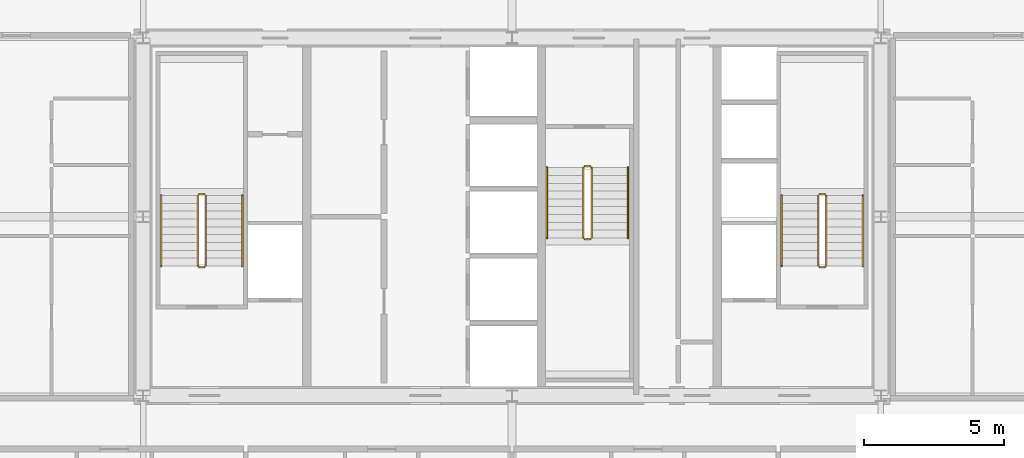
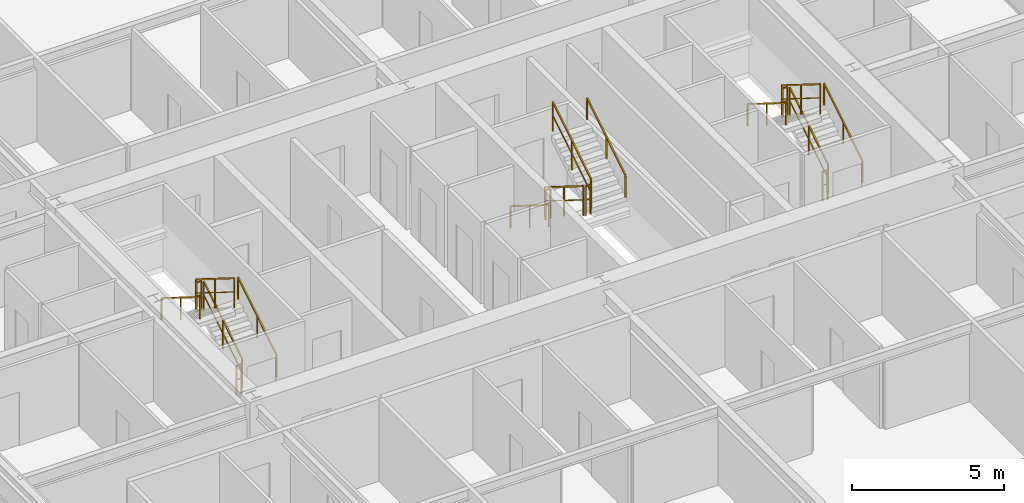
# One storey, part 38 of 38: 18 railings.
"""IFC4 building model written with IfcOpenShell, lengths in metres."""

from ifc_helpers import new_model, si_unit, direction, frame, origin, origin_2d, place, context, subcontext, project, spatial, rectangle, extrude, source, transform, mapped, material, layer, layer_set, type_object, element, save


model = new_model("IFC4")

# Units and contexts
model_context = context("Model", 3, precision=1e-05, world=origin(), true_north=direction((0.0, 1.0)))
body_context = subcontext(model_context, "Body", "Model", "MODEL_VIEW")
ifc_project = project(units=[si_unit("LENGTHUNIT", "METRE"), si_unit("AREAUNIT", "SQUARE_METRE"), si_unit("VOLUMEUNIT", "CUBIC_METRE"), si_unit("PLANEANGLEUNIT", "RADIAN"), si_unit("MASSUNIT", "GRAM", prefix="KILO"), si_unit("THERMODYNAMICTEMPERATUREUNIT", "KELVIN"), si_unit("POWERUNIT", "WATT")], contexts=[model_context])

# Site, building, storey
site_placement = place(None, origin())
site = spatial("IfcSite", under=ifc_project, at=site_placement, CompositionType="ELEMENT")
building_placement = place(site_placement, origin())
building = spatial("IfcBuilding", under=site, at=building_placement, Name="Yuzanri Waterfront Tower", CompositionType="ELEMENT")
storey_placement = place(building_placement, frame((0.0, 0.0, 188.0)))
storey = spatial("IfcBuildingStorey", under=building, at=storey_placement, Name="L49", CompositionType="ELEMENT", Elevation=188.0)

# Railings
ifc_material_1 = material(Name="Painted Galvanized Fire Steel", Category="steel")
ifc_layer_1 = layer(ifc_material_1, 0.06005859375)
ifc_layer_set_1 = layer_set([ifc_layer_1], Name="Painted Galvanized Fire Steel")
railing_type_1 = type_object("IfcRailingType", Name="Painted Steel Stairwell Guardrail 1120", PredefinedType="GUARDRAIL", material=ifc_layer_set_1)
shared_shape_1 = source(origin(), body_context, "Body", "SweptSolid", [
    extrude(rectangle(XDim=0.050048828125, YDim=0.050048828125, at=origin_2d()), frame((0.0, 0.0, 1.1748046875), z_axis=(-1.0, 0.0, 0.0), x_axis=(0.0, -1.0, 0.0)), (0.0, 0.0, 1.0), 0.199951171875),
    extrude(rectangle(XDim=0.035888671875, YDim=0.030029296875, at=origin_2d()), frame((0.0, 0.0, 0.6240234375), z_axis=(-1.0, 0.0, 0.0), x_axis=(0.0, -1.0, 0.0)), (0.0, 0.0, 1.0), 0.199951171875),
    extrude(rectangle(XDim=0.0458984375, YDim=0.0458984375, at=origin_2d()), origin(), (0.0, 0.0, 1.0), 1.14990234375),
    extrude(rectangle(XDim=0.0458984375, YDim=0.0458984375, at=origin_2d()), frame((-0.199951171875, 0.0, 0.0)), (0.0, 0.0, 1.0), 1.14990234375),
])
for number, where, name in (
    (1, (26.0, 26.610107421875, 1.75), "L49 ST-01 stair guard 2"),
    (2, (26.0, 23.989990234375, 0.0), "L49 ST-01 stair guard 4"),
    (3, (48.199951171875, 26.610107421875, 1.75), "L49 ST-02 stair guard 2"),
    (4, (48.199951171875, 23.989990234375, 0.0), "L49 ST-02 stair guard 4"),
):
    element("IfcRailing", number, at=place(storey_placement, frame(where)), inside=storey, type_object=railing_type_1, Name=name, PredefinedType="GUARDRAIL", context=body_context, shape_type="MappedRepresentation", body=[
        mapped(shared_shape_1, transform((0.0, 0.0, 0.0), scale=1.0)),
    ])
shared_shape_2 = source(origin(), body_context, "Body", "SweptSolid", [
    extrude(rectangle(XDim=0.050048828125, YDim=0.050048828125, at=origin_2d()), frame((0.0, 0.0, 1.1748046875), z_axis=(0.0, 0.848007534815, 0.529984170421), x_axis=(-1.0, 0.0, 0.0)), (0.0, 0.0, 1.0), 2.9716796875),
    extrude(rectangle(XDim=0.035888671875, YDim=0.030029296875, at=origin_2d()), frame((0.0, 0.0, 0.6240234375), z_axis=(0.0, 0.848007534815, 0.529984170421), x_axis=(-1.0, 0.0, 0.0)), (0.0, 0.0, 1.0), 2.9716796875),
    extrude(rectangle(XDim=0.0458984375, YDim=0.0458984375, at=origin_2d()), origin(), (0.0, 0.0, 1.0), 1.14990234375),
    extrude(rectangle(XDim=0.0458984375, YDim=0.0458984375, at=origin_2d()), frame((0.0, 1.260009765625, 0.78759765625)), (0.0, 0.0, 1.0), 1.14990234375),
    extrude(rectangle(XDim=0.0458984375, YDim=0.0458984375, at=origin_2d()), frame((0.0, 2.52001953125, 1.574951171875)), (0.0, 0.0, 1.0), 1.14990234375),
])
for number, where, name in (
    (5, (26.050048828125, 24.0400390625, 0.175048828125), "L49 ST-01 stair guard 1"),
    (6, (48.25, 24.0400390625, 0.175048828125), "L49 ST-02 stair guard 1"),
    (7, (39.85009765625, 25.0400390625, 1.925048828125), "L49 ST-03 stair guard 3"),
):
    element("IfcRailing", number, at=place(storey_placement, frame(where)), inside=storey, type_object=railing_type_1, Name=name, PredefinedType="GUARDRAIL", context=body_context, shape_type="MappedRepresentation", body=[
        mapped(shared_shape_2, transform((0.0, 0.0, 0.0), scale=1.0)),
    ])
shared_shape_3 = source(origin(), body_context, "Body", "SweptSolid", [
    extrude(rectangle(XDim=0.050048828125, YDim=0.050048828125, at=origin_2d()), frame((0.0, 0.0, 1.1748046875), z_axis=(0.0, -0.848007534815, 0.529984170421), x_axis=(1.0, 0.0, 0.0)), (0.0, 0.0, 1.0), 2.9716796875),
    extrude(rectangle(XDim=0.035888671875, YDim=0.030029296875, at=origin_2d()), frame((0.0, 0.0, 0.6240234375), z_axis=(0.0, -0.848007534815, 0.529984170421), x_axis=(1.0, 0.0, 0.0)), (0.0, 0.0, 1.0), 2.9716796875),
    extrude(rectangle(XDim=0.0458984375, YDim=0.0458984375, at=origin_2d()), origin(), (0.0, 0.0, 1.0), 1.14990234375),
    extrude(rectangle(XDim=0.0458984375, YDim=0.0458984375, at=origin_2d()), frame((0.0, -1.260009765625, 0.78759765625)), (0.0, 0.0, 1.0), 1.14990234375),
    extrude(rectangle(XDim=0.0458984375, YDim=0.0458984375, at=origin_2d()), frame((0.0, -2.52001953125, 1.574951171875)), (0.0, 0.0, 1.0), 1.14990234375),
])
for number, where, name in (
    (8, (25.75, 26.56005859375, 1.925048828125), "L49 ST-01 stair guard 3"),
    (9, (47.949951171875, 26.56005859375, 1.925048828125), "L49 ST-02 stair guard 3"),
    (10, (39.550048828125, 27.56005859375, 0.175048828125), "L49 ST-03 stair guard 1"),
):
    element("IfcRailing", number, at=place(storey_placement, frame(where)), inside=storey, type_object=railing_type_1, Name=name, PredefinedType="GUARDRAIL", context=body_context, shape_type="MappedRepresentation", body=[
        mapped(shared_shape_3, transform((0.0, 0.0, 0.0), scale=1.0)),
    ])
ifc_material_2 = material(Name="Anodized Architectural Bronze", Category="metal")
ifc_layer_2 = layer(ifc_material_2, 0.050048828125)
ifc_layer_set_2 = layer_set([ifc_layer_2], Name="Anodized Architectural Bronze")
railing_type_2 = type_object("IfcRailingType", Name="Brushed Bronze Stair Pitch Handrail 920", PredefinedType="HANDRAIL", material=ifc_layer_set_2)
shared_shape_4 = source(origin(), body_context, "Body", "SweptSolid", [
    extrude(rectangle(XDim=0.050048828125, YDim=0.050048828125, at=origin_2d()), frame((0.0, 0.0, 0.875), z_axis=(0.0, 0.848007534815, 0.529984170421), x_axis=(-1.0, 0.0, 0.0)), (0.0, 0.0, 1.0), 2.9716796875),
    extrude(rectangle(XDim=0.0458984375, YDim=0.0458984375, at=origin_2d()), origin(), (0.0, 0.0, 1.0), 0.849853515625),
    extrude(rectangle(XDim=0.0458984375, YDim=0.0458984375, at=origin_2d()), frame((0.0, 1.260009765625, 0.78759765625)), (0.0, 0.0, 1.0), 0.849853515625),
    extrude(rectangle(XDim=0.0458984375, YDim=0.0458984375, at=origin_2d()), frame((0.0, 2.52001953125, 1.574951171875)), (0.0, 0.0, 1.0), 0.849853515625),
])
for number, where, name in (
    (11, (27.35009765625, 24.0400390625, 0.175048828125), "L49 ST-01 stair handrail 1"),
    (12, (49.550048828125, 24.0400390625, 0.175048828125), "L49 ST-02 stair handrail 1"),
    (13, (41.14990234375, 25.0400390625, 1.925048828125), "L49 ST-03 stair handrail 2"),
):
    element("IfcRailing", number, at=place(storey_placement, frame(where)), inside=storey, type_object=railing_type_2, Name=name, PredefinedType="HANDRAIL", context=body_context, shape_type="MappedRepresentation", body=[
        mapped(shared_shape_4, transform((0.0, 0.0, 0.0), scale=1.0)),
    ])
shared_shape_5 = source(origin(), body_context, "Body", "SweptSolid", [
    extrude(rectangle(XDim=0.050048828125, YDim=0.050048828125, at=origin_2d()), frame((0.0, 0.0, 0.875), z_axis=(0.0, -0.848007534815, 0.529984170421), x_axis=(1.0, 0.0, 0.0)), (0.0, 0.0, 1.0), 2.9716796875),
    extrude(rectangle(XDim=0.0458984375, YDim=0.0458984375, at=origin_2d()), origin(), (0.0, 0.0, 1.0), 0.849853515625),
    extrude(rectangle(XDim=0.0458984375, YDim=0.0458984375, at=origin_2d()), frame((0.0, -1.260009765625, 0.78759765625)), (0.0, 0.0, 1.0), 0.849853515625),
    extrude(rectangle(XDim=0.0458984375, YDim=0.0458984375, at=origin_2d()), frame((0.0, -2.52001953125, 1.574951171875)), (0.0, 0.0, 1.0), 0.849853515625),
])
for number, where, name in (
    (14, (24.449951171875, 26.56005859375, 1.925048828125), "L49 ST-01 stair handrail 2"),
    (15, (46.64990234375, 26.56005859375, 1.925048828125), "L49 ST-02 stair handrail 2"),
    (16, (38.25, 27.56005859375, 0.175048828125), "L49 ST-03 stair handrail 1"),
):
    element("IfcRailing", number, at=place(storey_placement, frame(where)), inside=storey, type_object=railing_type_2, Name=name, PredefinedType="HANDRAIL", context=body_context, shape_type="MappedRepresentation", body=[
        mapped(shared_shape_5, transform((0.0, 0.0, 0.0), scale=1.0)),
    ])
shared_shape_6 = source(origin(), body_context, "Body", "SweptSolid", [
    extrude(rectangle(XDim=0.050048828125, YDim=0.050048828125, at=origin_2d()), frame((0.0, 0.0, 1.1748046875), z_axis=(1.0, 0.0, 0.0), x_axis=(0.0, 1.0, 0.0)), (0.0, 0.0, 1.0), 0.199951171875),
    extrude(rectangle(XDim=0.035888671875, YDim=0.030029296875, at=origin_2d()), frame((0.0, 0.0, 0.6240234375), z_axis=(1.0, 0.0, 0.0), x_axis=(0.0, 1.0, 0.0)), (0.0, 0.0, 1.0), 0.199951171875),
    extrude(rectangle(XDim=0.0458984375, YDim=0.0458984375, at=origin_2d()), origin(), (0.0, 0.0, 1.0), 1.14990234375),
    extrude(rectangle(XDim=0.0458984375, YDim=0.0458984375, at=origin_2d()), frame((0.199951171875, 0.0, 0.0)), (0.0, 0.0, 1.0), 1.14990234375),
])
for number, where, name in (
    (17, (39.60009765625, 24.989990234375, 1.75), "L49 ST-03 stair guard 2"),
    (18, (39.60009765625, 27.610107421875, 0.0), "L49 ST-03 stair guard 4"),
):
    element("IfcRailing", number, at=place(storey_placement, frame(where)), inside=storey, type_object=railing_type_1, Name=name, PredefinedType="GUARDRAIL", context=body_context, shape_type="MappedRepresentation", body=[
        mapped(shared_shape_6, transform((0.0, 0.0, 0.0), scale=1.0)),
    ])

save(model, "model.ifc")
